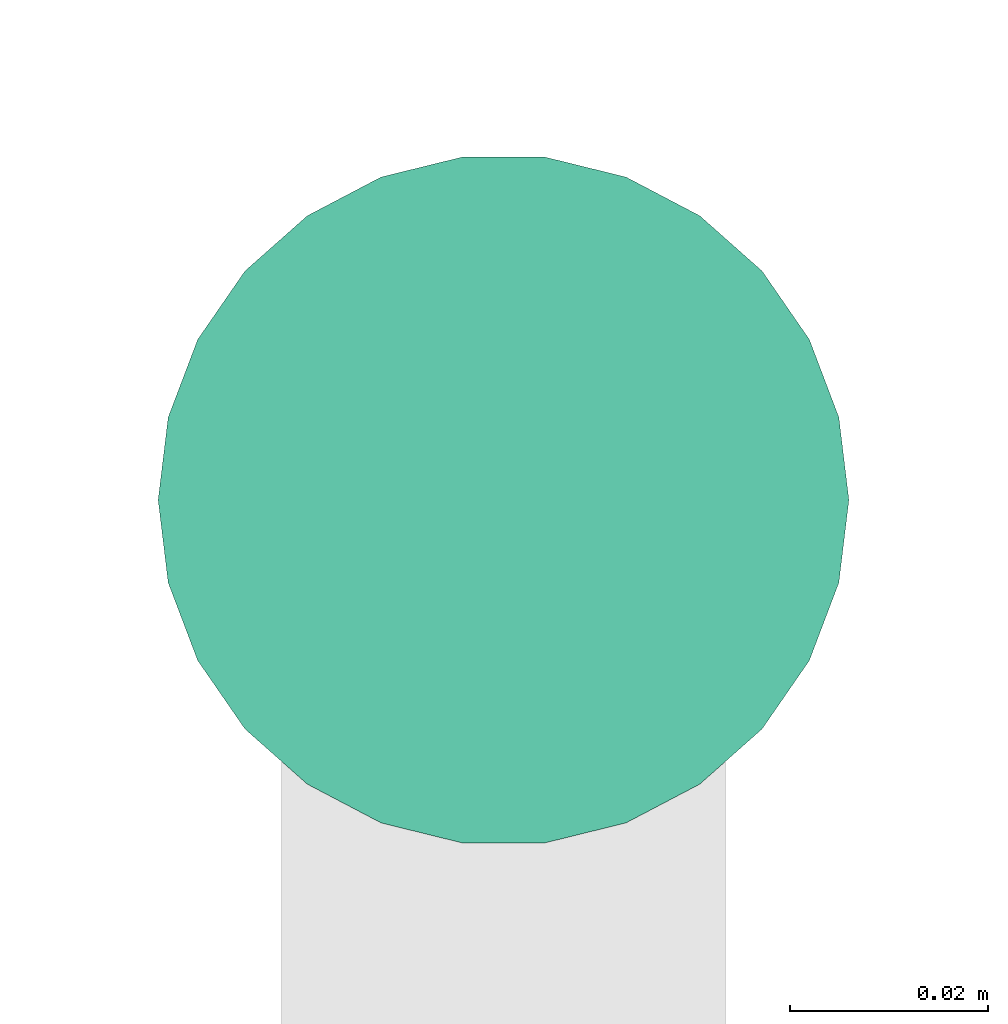
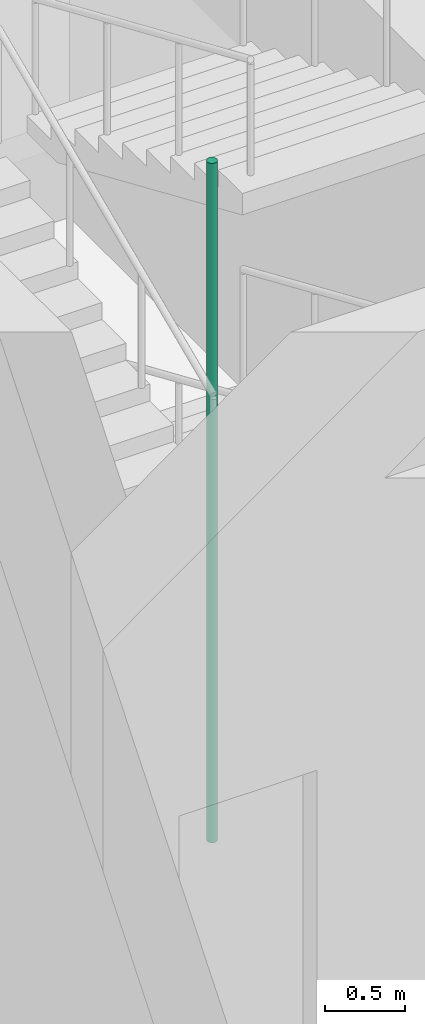
# One storey, part 19 of 31: 1 pipe segment.
"""IFC4 building model written with IfcOpenShell, lengths in metres."""

from ifc_helpers import new_model, si_unit, direction, frame, origin, origin_2d, place, context, subcontext, project, spatial, circle, extrude, element, save


model = new_model("IFC4")

# Units and contexts
model_context = context("Model", 3, precision=1e-05, world=origin(), true_north=direction((0.0, 1.0)))
body_context = subcontext(model_context, "Body", "Model", "MODEL_VIEW")
ifc_project = project(units=[si_unit("LENGTHUNIT", "METRE"), si_unit("AREAUNIT", "SQUARE_METRE"), si_unit("VOLUMEUNIT", "CUBIC_METRE"), si_unit("PLANEANGLEUNIT", "RADIAN"), si_unit("MASSUNIT", "GRAM", prefix="KILO")], contexts=[model_context])

# Site, building, storey
site_placement = place(None, origin())
site = spatial("IfcSite", under=ifc_project, at=site_placement, CompositionType="ELEMENT")
building_placement = place(site_placement, origin())
building = spatial("IfcBuilding", under=site, at=building_placement, Name="Nzadi Deep Aquarium and Research Tower", CompositionType="ELEMENT")
storey_placement = place(building_placement, frame((0.0, 0.0, 26.699951171875)))
storey = spatial("IfcBuildingStorey", under=building, at=storey_placement, Name="L04", CompositionType="ELEMENT", Elevation=26.699951171875)

# Pipe segment
pipe_segment_placement = place(storey_placement, frame((2.300048828125, 12.320068359375, 0.0), z_axis=(0.0, 0.0, 1.0), x_axis=(1.0, 0.0, 0.0)))
element("IfcPipeSegment", 1, at=pipe_segment_placement, inside=storey, Name="Dry riser ST-Z1-SW L04", PredefinedType="RIGIDSEGMENT", context=body_context, shape_type="SweptSolid", body=[
    extrude(circle(Radius=0.034912109375, at=origin_2d()), origin(), (0.0, 0.0, 1.0), 5.199951171875),
])

save(model, "model.ifc")
